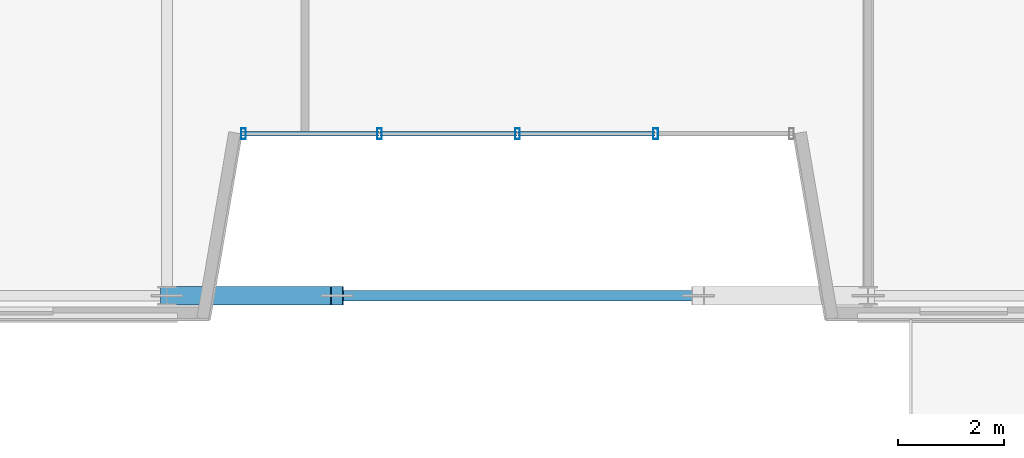
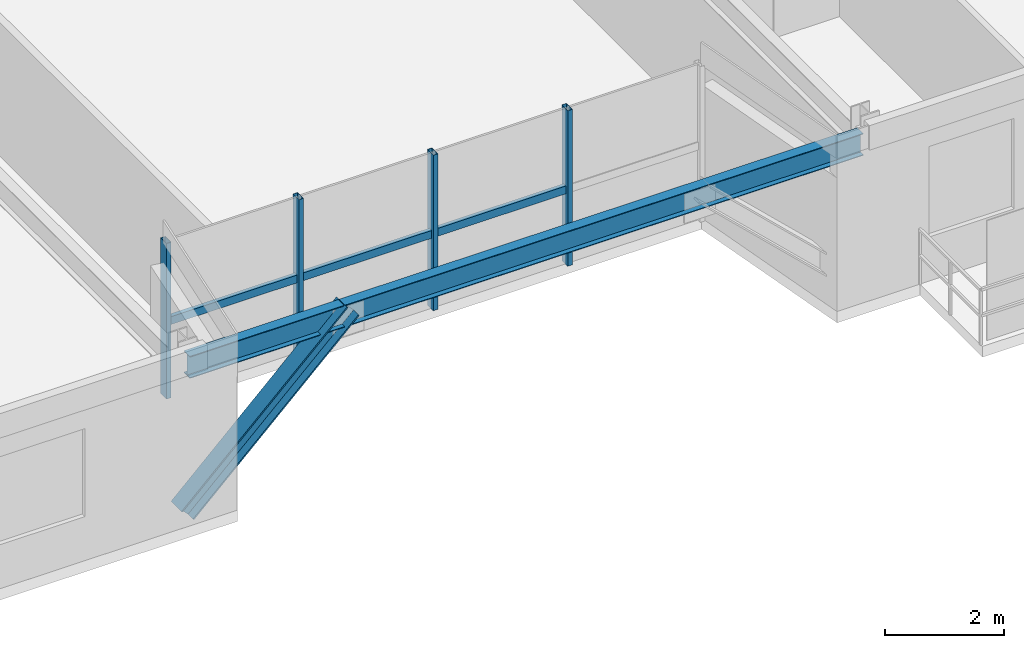
# One storey, part 6 of 26: 8 members, 1 beam, 1 element without a shape of its own.
"""IFC4 building model written with IfcOpenShell, lengths in metres."""

from ifc_helpers import new_model, si_unit, direction, frame, origin, origin_2d, place, context, subcontext, project, spatial, hollow_rectangle, i_section, extrude, source, transform, mapped, material, material_profile, profile_set, type_object, element, aggregate, save


model = new_model("IFC4")

# Units and contexts
model_context = context("Model", 3, precision=1e-05, world=origin(), true_north=direction((0.0, 1.0)))
body_context = subcontext(model_context, "Body", "Model", "MODEL_VIEW")
ifc_project = project(units=[si_unit("LENGTHUNIT", "METRE"), si_unit("AREAUNIT", "SQUARE_METRE"), si_unit("VOLUMEUNIT", "CUBIC_METRE"), si_unit("PLANEANGLEUNIT", "RADIAN"), si_unit("MASSUNIT", "GRAM", prefix="KILO")], contexts=[model_context])

# Site, building, storey
site_placement = place(None, origin())
site = spatial("IfcSite", under=ifc_project, at=site_placement, CompositionType="ELEMENT")
building_placement = place(site_placement, origin())
building = spatial("IfcBuilding", under=site, at=building_placement, Name="Trelvane Seafront Commons", CompositionType="ELEMENT")
storey_placement = place(building_placement, frame((0.0, 0.0, 291.89990234375)))
storey = spatial("IfcBuildingStorey", under=building, at=storey_placement, Name="L76", CompositionType="ELEMENT", Elevation=291.89990234375)

# Beam
ifc_material_1 = material(Name="Steel SM355 (S355)", Category="steel")
ifc_material_profile_1 = material_profile(ifc_material_1, i_section(OverallWidth=0.199951171875, OverallDepth=0.449951171875, WebThickness=0.009033203125, FlangeThickness=0.013916015625, at=origin_2d()), Name="H-450x200x9x14")
ifc_profile_set_1 = profile_set([ifc_material_profile_1], Name="Steel SM355 (S355)")
beam_type = type_object("IfcBeamType", Name="STR-SPD-H450", PredefinedType="SPANDREL", material=ifc_profile_set_1)
shared_shape_1 = source(origin(), body_context, "Body", "SweptSolid", [
    extrude(i_section(OverallWidth=0.199951171875, OverallDepth=0.449951171875, WebThickness=0.009033203125, FlangeThickness=0.013916015625, at=origin_2d()), origin(), (0.0, 0.0, 1.0), 13.02490234375),
])
beam_placement = place(storey_placement, frame((30.6875, 3.949951171875, 2.955078125), z_axis=(1.0, 0.0, 0.0), x_axis=(0.0, 1.0, 0.0)))
element("IfcBeam", 1, at=beam_placement, inside=storey, type_object=beam_type, Name="L76 Primary Girder G-04", PredefinedType="SPANDREL", context=body_context, shape_type="MappedRepresentation", body=[
    mapped(shared_shape_1, transform((0.0, 0.0, 0.0), x_axis=(1.0, 0.0, 0.0), y_axis=(0.0, 1.0, 0.0), z_axis=(0.0, 0.0, 1.0), scale=1.0)),
])

# Member
ifc_material_profile_2 = material_profile(ifc_material_1, i_section(OverallWidth=0.35009765625, OverallDepth=0.35009765625, WebThickness=0.01806640625, FlangeThickness=0.028076171875, at=origin_2d()), Name="HD-350x350x18x28")
ifc_profile_set_2 = profile_set([ifc_material_profile_2], Name="Steel SM355 (S355)")
member_type_1 = type_object("IfcMemberType", Name="STR-BRC-HD350", PredefinedType="BRACE", material=ifc_profile_set_2)
shared_shape_2 = source(origin(), body_context, "Body", "SweptSolid", [
    extrude(i_section(OverallWidth=0.35009765625, OverallDepth=0.35009765625, WebThickness=0.01806640625, FlangeThickness=0.028076171875, at=origin_2d()), origin(), (0.0, 0.0, 1.0), 4.427490234375),
])
member_1_placement = place(storey_placement, frame((30.60009765625, 3.949951171875, 0.0), z_axis=(0.72272807338, 0.0, 0.691132499561), x_axis=(0.0, 1.0, 0.0)))
element("IfcMember", 2, at=member_1_placement, inside=storey, type_object=member_type_1, Name="L76 Sky-Garden V-Chevron Brace SGV-W", PredefinedType="BRACE", context=body_context, shape_type="MappedRepresentation", body=[
    mapped(shared_shape_2, transform((0.0, 0.0, 0.0), x_axis=(1.0, 0.0, 0.0), y_axis=(0.0, 1.0, 0.0), z_axis=(0.0, 0.0, 1.0), scale=1.0)),
])

# Curtain wall, members
ifc_material_2 = material(Name="Anodised pale-silver aluminium", Category="aluminium")
curtain_wall_type = type_object("IfcCurtainWallType", Name="ARCH-CW3-PORTAL", PredefinedType="NOTDEFINED", material=ifc_material_2)
curtain_wall_placement = place(storey_placement, origin())
curtain_wall = element("IfcCurtainWall", 3, at=curtain_wall_placement, inside=storey, type_object=curtain_wall_type, Name="CW-L76-VN-0121", PredefinedType="NOTDEFINED")
ifc_material_profile_3 = material_profile(ifc_material_2, hollow_rectangle(XDim=0.090087890625, YDim=0.199951171875, WallThickness=0.0048828125, at=origin_2d()), Name="MULL-90x200x5")
ifc_profile_set_3 = profile_set([ifc_material_profile_3], Name="Anodised pale-silver aluminium")
member_type_2 = type_object("IfcMemberType", Name="ARCH-CW-MULL-200", PredefinedType="MULLION", material=ifc_profile_set_3)
shared_shape_3 = source(origin(), body_context, "Body", "SweptSolid", [
    extrude(hollow_rectangle(XDim=0.090087890625, YDim=0.199951171875, WallThickness=0.0048828125, at=origin_2d()), origin(), (0.0, 0.0, 1.0), 3.18017578125),
])
member_2_placement = place(storey_placement, frame((39.800048828125, 7.0, 0.0), z_axis=(0.0, 0.0, 1.0), x_axis=(1.0, 0.0, 0.0)))
member_2 = element("IfcMember", 4, at=member_2_placement, type_object=member_type_2, Name="CW-L76-VN-0121-M01", PredefinedType="MULLION", context=body_context, shape_type="MappedRepresentation", body=[
    mapped(shared_shape_3, transform((0.0, 0.0, 0.0), x_axis=(1.0, 0.0, 0.0), y_axis=(0.0, 1.0, 0.0), z_axis=(0.0, 0.0, 1.0), scale=1.0)),
])
member_3_placement = place(storey_placement, frame((37.199951171875, 7.0, 0.0), z_axis=(0.0, 0.0, 1.0), x_axis=(1.0, 0.0, 0.0)))
member_3 = element("IfcMember", 5, at=member_3_placement, type_object=member_type_2, Name="CW-L76-VN-0121-M02", PredefinedType="MULLION", context=body_context, shape_type="MappedRepresentation", body=[
    mapped(shared_shape_3, transform((0.0, 0.0, 0.0), x_axis=(1.0, 0.0, 0.0), y_axis=(0.0, 1.0, 0.0), z_axis=(0.0, 0.0, 1.0), scale=1.0)),
])
member_4_placement = place(storey_placement, frame((34.60009765625, 7.0, 0.0), z_axis=(0.0, 0.0, 1.0), x_axis=(1.0, 0.0, 0.0)))
member_4 = element("IfcMember", 6, at=member_4_placement, type_object=member_type_2, Name="CW-L76-VN-0121-M03", PredefinedType="MULLION", context=body_context, shape_type="MappedRepresentation", body=[
    mapped(shared_shape_3, transform((0.0, 0.0, 0.0), x_axis=(1.0, 0.0, 0.0), y_axis=(0.0, 1.0, 0.0), z_axis=(0.0, 0.0, 1.0), scale=1.0)),
])
member_5_placement = place(storey_placement, frame((32.0400390625, 7.0, 0.0), z_axis=(0.0, 0.0, 1.0), x_axis=(1.0, 0.0, 0.0)))
member_5 = element("IfcMember", 7, at=member_5_placement, type_object=member_type_2, Name="CW-L76-VN-0121-M04", PredefinedType="MULLION", context=body_context, shape_type="MappedRepresentation", body=[
    mapped(shared_shape_3, transform((0.0, 0.0, 0.0), x_axis=(1.0, 0.0, 0.0), y_axis=(0.0, 1.0, 0.0), z_axis=(0.0, 0.0, 1.0), scale=1.0)),
])
ifc_material_profile_4 = material_profile(ifc_material_2, hollow_rectangle(XDim=0.080078125, YDim=0.159912109375, WallThickness=0.00439453125, at=origin_2d()), Name="TRAN-80x160x4.5")
ifc_profile_set_4 = profile_set([ifc_material_profile_4], Name="Anodised pale-silver aluminium")
member_type_3 = type_object("IfcMemberType", Name="ARCH-CW-TRAN-160", PredefinedType="USERDEFINED", material=ifc_profile_set_4)
shared_shape_4 = source(origin(), body_context, "Body", "SweptSolid", [
    extrude(hollow_rectangle(XDim=0.080078125, YDim=0.159912109375, WallThickness=0.00439453125, at=origin_2d()), origin(), (0.0, 0.0, 1.0), 2.575927734375),
])
member_6_placement = place(storey_placement, frame((37.18798828125, 7.0, 1.526123046875), z_axis=(-1.0, 0.0, 0.0), x_axis=(0.0, -1.0, 0.0)))
member_6 = element("IfcMember", 8, at=member_6_placement, type_object=member_type_3, Name="CW-L76-VN-0121-T02", ObjectType="TRANSOM", PredefinedType="USERDEFINED", context=body_context, shape_type="MappedRepresentation", body=[
    mapped(shared_shape_4, transform((0.0, 0.0, 0.0), x_axis=(1.0, 0.0, 0.0), y_axis=(0.0, 1.0, 0.0), z_axis=(0.0, 0.0, 1.0), scale=1.0)),
])
member_7_placement = place(storey_placement, frame((34.587890625, 7.0, 1.526123046875), z_axis=(-1.0, 0.0, 0.0), x_axis=(0.0, -1.0, 0.0)))
member_7 = element("IfcMember", 9, at=member_7_placement, type_object=member_type_3, Name="CW-L76-VN-0121-T03", ObjectType="TRANSOM", PredefinedType="USERDEFINED", context=body_context, shape_type="MappedRepresentation", body=[
    mapped(shared_shape_4, transform((0.0, 0.0, 0.0), x_axis=(1.0, 0.0, 0.0), y_axis=(0.0, 1.0, 0.0), z_axis=(0.0, 0.0, 1.0), scale=1.0)),
])
shared_shape_5 = source(origin(), body_context, "Body", "SweptSolid", [
    extrude(hollow_rectangle(XDim=0.080078125, YDim=0.159912109375, WallThickness=0.00439453125, at=origin_2d()), origin(), (0.0, 0.0, 1.0), 2.576171875),
])
member_8_placement = place(storey_placement, frame((39.7880859375, 7.0, 1.526123046875), z_axis=(-1.0, 0.0, 0.0), x_axis=(0.0, -1.0, 0.0)))
member_8 = element("IfcMember", 10, at=member_8_placement, type_object=member_type_3, Name="CW-L76-VN-0121-T01", ObjectType="TRANSOM", PredefinedType="USERDEFINED", context=body_context, shape_type="MappedRepresentation", body=[
    mapped(shared_shape_5, transform((0.0, 0.0, 0.0), x_axis=(1.0, 0.0, 0.0), y_axis=(0.0, 1.0, 0.0), z_axis=(0.0, 0.0, 1.0), scale=1.0)),
])
aggregate(curtain_wall, [member_2, member_3, member_4, member_5, member_8, member_6, member_7])

save(model, "model.ifc")
